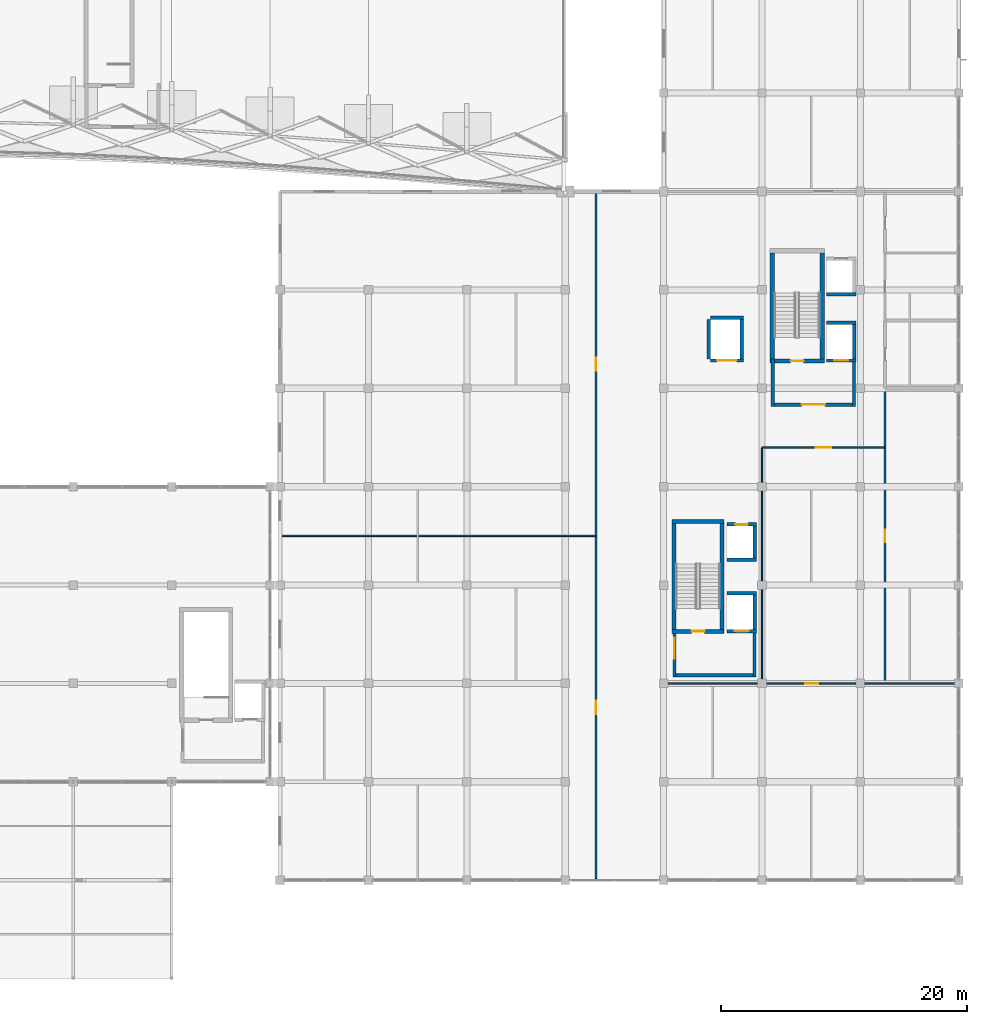
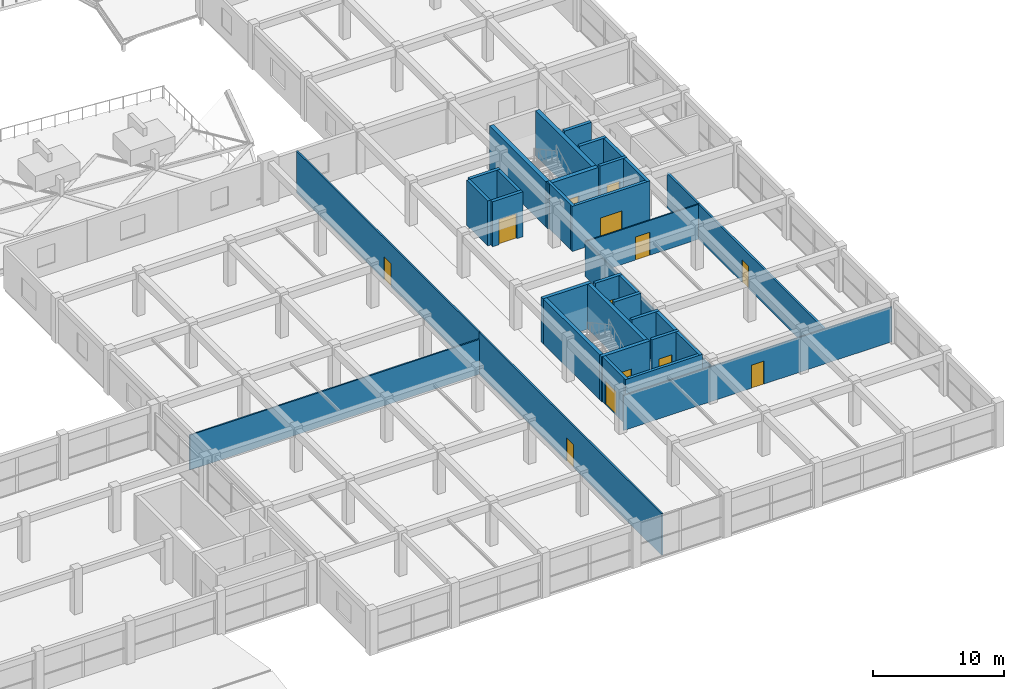
# One storey, part 47 of 67: 34 walls, 13 doors, 13 openings.
"""IFC4 building model written with IfcOpenShell, lengths in metres."""

from ifc_helpers import new_model, si_unit, direction, frame, frame_2d, origin, place, context, subcontext, project, spatial, rectangle, extrude, material, layer, layer_set, type_object, element, fill, save


model = new_model("IFC4")

# Units and contexts
model_context = context("Model", 3, precision=1e-05, world=origin(), true_north=direction((0.0, 1.0)))
body_context = subcontext(model_context, "Body", "Model", "MODEL_VIEW")
ifc_project = project(units=[si_unit("LENGTHUNIT", "METRE"), si_unit("AREAUNIT", "SQUARE_METRE"), si_unit("VOLUMEUNIT", "CUBIC_METRE"), si_unit("PLANEANGLEUNIT", "RADIAN"), si_unit("MASSUNIT", "GRAM", prefix="KILO")], contexts=[model_context])

# Site, building, storey
site_placement = place(None, origin())
site = spatial("IfcSite", under=ifc_project, at=site_placement, CompositionType="ELEMENT")
building_placement = place(site_placement, origin())
building = spatial("IfcBuilding", under=site, at=building_placement, Name="Kenh Van Central Station", CompositionType="ELEMENT")
storey_placement = place(building_placement, frame((0.0, 0.0, 10.800048828125)))
storey = spatial("IfcBuildingStorey", under=building, at=storey_placement, Name="L02", CompositionType="ELEMENT", Elevation=10.800048828125)

# Wall, opening, door
ifc_material_1 = material(Name="Concrete C40/50", Category="concrete")
ifc_layer_1 = layer(ifc_material_1, 0.280029296875, Name="Concrete C40/50")
ifc_layer_set_1 = layer_set([ifc_layer_1], Name="Concrete C40/50")
wall_type_1 = type_object("IfcWallType", Name="WL-CORE-280", PredefinedType="SHEAR", material=ifc_layer_set_1)
wall_1_placement = place(storey_placement, frame((157.14990234375, 28.260009765625, 0.0), z_axis=(0.0, 0.0, 1.0), x_axis=(1.0, 0.0, 0.0)))
wall_1 = element("IfcWall", 1, at=wall_1_placement, inside=storey, type_object=wall_type_1, Name="L02 LIFT-FF1 shaft wall S", PredefinedType="SHEAR", context=body_context, shape_type="SweptSolid", body=[
    extrude(rectangle(XDim=2.380126953125, YDim=0.280029296875, at=frame_2d((1.18994140625, 0.0))), origin(), (0.0, 0.0, 1.0), 4.199951171875),
])
opening_1_placement = place(wall_1_placement, frame((0.614990234375, 0.0, 0.0)))
opening_1 = element("IfcOpeningElement", 2, at=opening_1_placement, cuts=wall_1, Name="Opening LD-FF1", PredefinedType="OPENING", context=body_context, shape_type="SweptSolid", body=[
    extrude(rectangle(XDim=1.14990234375, YDim=2.199951171875, at=frame_2d((0.574951171875, 1.10009765625))), frame((0.0, 0.14990234375, 0.0), z_axis=(0.0, -1.0, 0.0), x_axis=(1.0, 0.0, 0.0)), (0.0, 0.0, 1.0), 0.300048828125),
])
ifc_material_2 = material(Name="Champagne anodised aluminium", Category="aluminium")
door_type_1 = type_object("IfcDoorType", Name="DR-LIFT-1150x2200", OperationType="SLIDING_TO_LEFT", PredefinedType="DOOR", material=ifc_material_2)
door_1_placement = place(opening_1_placement, origin())
door_1 = element("IfcDoor", 3, at=door_1_placement, inside=storey, type_object=door_type_1, Name="L02 LIFT-FF1 sliding landing door", OperationType="SLIDING_TO_LEFT", OverallHeight=2.199951171875, OverallWidth=1.14990234375, PredefinedType="DOOR", context=body_context, shape_type="SweptSolid", body=[
    extrude(rectangle(XDim=1.14990234375, YDim=2.199951171875, at=frame_2d((0.574951171875, 1.10009765625))), frame((0.0, 0.02490234375, 0.0), z_axis=(0.0, -1.0, 0.0), x_axis=(1.0, 0.0, 0.0)), (0.0, 0.0, 1.0), 0.050048828125),
])
fill(opening_1, door_1)

# Walls
wall_2_placement = place(storey_placement, frame((157.14990234375, 31.340087890625, 0.0), z_axis=(0.0, 0.0, 1.0), x_axis=(1.0, 0.0, 0.0)))
element("IfcWall", 4, at=wall_2_placement, inside=storey, type_object=wall_type_1, Name="L02 LIFT-FF1 shaft wall N", PredefinedType="SHEAR", context=body_context, shape_type="SweptSolid", body=[
    extrude(rectangle(XDim=2.380126953125, YDim=0.280029296875, at=frame_2d((1.18994140625, 0.0))), origin(), (0.0, 0.0, 1.0), 4.199951171875),
])
wall_3_placement = place(storey_placement, frame((159.389892578125, 28.39990234375, 0.0), z_axis=(0.0, 0.0, 1.0), x_axis=(0.0, 1.0, 0.0)))
element("IfcWall", 5, at=wall_3_placement, inside=storey, type_object=wall_type_1, Name="L02 LIFT-FF1 shaft wall E", PredefinedType="SHEAR", context=body_context, shape_type="SweptSolid", body=[
    extrude(rectangle(XDim=2.800048828125, YDim=0.280029296875, at=frame_2d((1.39990234375, 0.0))), origin(), (0.0, 0.0, 1.0), 4.199951171875),
])
wall_4_placement = place(storey_placement, frame((157.14990234375, 34.06005859375, 0.0), z_axis=(0.0, 0.0, 1.0), x_axis=(1.0, 0.0, 0.0)))
element("IfcWall", 6, at=wall_4_placement, inside=storey, type_object=wall_type_1, Name="L02 LIFT-OP1 shaft wall S", PredefinedType="SHEAR", context=body_context, shape_type="SweptSolid", body=[
    extrude(rectangle(XDim=2.380126953125, YDim=0.280029296875, at=frame_2d((1.18994140625, 0.0))), origin(), (0.0, 0.0, 1.0), 4.199951171875),
])

# Wall, opening, door
wall_5_placement = place(storey_placement, frame((157.14990234375, 36.93994140625, 0.0), z_axis=(0.0, 0.0, 1.0), x_axis=(1.0, 0.0, 0.0)))
wall_5 = element("IfcWall", 7, at=wall_5_placement, inside=storey, type_object=wall_type_1, Name="L02 LIFT-OP1 shaft wall N", PredefinedType="SHEAR", context=body_context, shape_type="SweptSolid", body=[
    extrude(rectangle(XDim=2.380126953125, YDim=0.280029296875, at=frame_2d((1.18994140625, 0.0))), origin(), (0.0, 0.0, 1.0), 4.199951171875),
])
opening_2_placement = place(wall_5_placement, frame((0.68994140625, 0.0, 0.0)))
opening_2 = element("IfcOpeningElement", 8, at=opening_2_placement, cuts=wall_5, Name="Opening LD-OP1", PredefinedType="OPENING", context=body_context, shape_type="SweptSolid", body=[
    extrude(rectangle(XDim=1.0, YDim=2.14990234375, at=frame_2d((0.5, 1.074951171875))), frame((0.0, 0.14990234375, 0.0), z_axis=(0.0, -1.0, 0.0), x_axis=(1.0, 0.0, 0.0)), (0.0, 0.0, 1.0), 0.300048828125),
])
door_type_2 = type_object("IfcDoorType", Name="DR-LIFT-1000x2150", OperationType="SLIDING_TO_LEFT", PredefinedType="DOOR", material=ifc_material_2)
door_2_placement = place(opening_2_placement, origin())
door_2 = element("IfcDoor", 9, at=door_2_placement, inside=storey, type_object=door_type_2, Name="L02 LIFT-OP1 sliding landing door", OperationType="SLIDING_TO_LEFT", OverallHeight=2.14990234375, OverallWidth=1.0, PredefinedType="DOOR", context=body_context, shape_type="SweptSolid", body=[
    extrude(rectangle(XDim=1.0, YDim=2.14990234375, at=frame_2d((0.5, 1.074951171875))), frame((0.0, 0.02490234375, 0.0), z_axis=(0.0, -1.0, 0.0), x_axis=(1.0, 0.0, 0.0)), (0.0, 0.0, 1.0), 0.050048828125),
])
fill(opening_2, door_2)

# Wall
wall_6_placement = place(storey_placement, frame((159.389892578125, 34.199951171875, 0.0), z_axis=(0.0, 0.0, 1.0), x_axis=(0.0, 1.0, 0.0)))
element("IfcWall", 10, at=wall_6_placement, inside=storey, type_object=wall_type_1, Name="L02 LIFT-OP1 shaft wall E", PredefinedType="SHEAR", context=body_context, shape_type="SweptSolid", body=[
    extrude(rectangle(XDim=2.60009765625, YDim=0.280029296875, at=frame_2d((1.300048828125, 0.0))), origin(), (0.0, 0.0, 1.0), 4.199951171875),
])

# Wall, opening, door
wall_7_placement = place(storey_placement, frame((165.25, 50.260009765625, 0.0), z_axis=(0.0, 0.0, 1.0), x_axis=(1.0, 0.0, 0.0)))
wall_7 = element("IfcWall", 11, at=wall_7_placement, inside=storey, type_object=wall_type_1, Name="L02 LIFT-FF2 shaft wall S", PredefinedType="SHEAR", context=body_context, shape_type="SweptSolid", body=[
    extrude(rectangle(XDim=2.3798828125, YDim=0.280029296875, at=frame_2d((1.18994140625, 0.0))), origin(), (0.0, 0.0, 1.0), 4.199951171875),
])
opening_3_placement = place(wall_7_placement, frame((0.614990234375, 0.0, 0.0)))
opening_3 = element("IfcOpeningElement", 12, at=opening_3_placement, cuts=wall_7, Name="Opening LD-FF1", PredefinedType="OPENING", context=body_context, shape_type="SweptSolid", body=[
    extrude(rectangle(XDim=1.14990234375, YDim=2.199951171875, at=frame_2d((0.574951171875, 1.10009765625))), frame((0.0, 0.14990234375, 0.0), z_axis=(0.0, -1.0, 0.0), x_axis=(1.0, 0.0, 0.0)), (0.0, 0.0, 1.0), 0.300048828125),
])
door_3_placement = place(opening_3_placement, origin())
door_3 = element("IfcDoor", 13, at=door_3_placement, inside=storey, type_object=door_type_1, Name="L02 LIFT-FF2 sliding landing door", OperationType="SLIDING_TO_LEFT", OverallHeight=2.199951171875, OverallWidth=1.14990234375, PredefinedType="DOOR", context=body_context, shape_type="SweptSolid", body=[
    extrude(rectangle(XDim=1.14990234375, YDim=2.199951171875, at=frame_2d((0.574951171875, 1.10009765625))), frame((0.0, 0.02490234375, 0.0), z_axis=(0.0, -1.0, 0.0), x_axis=(1.0, 0.0, 0.0)), (0.0, 0.0, 1.0), 0.050048828125),
])
fill(opening_3, door_3)

# Walls
wall_8_placement = place(storey_placement, frame((165.25, 53.340087890625, 0.0), z_axis=(0.0, 0.0, 1.0), x_axis=(1.0, 0.0, 0.0)))
element("IfcWall", 14, at=wall_8_placement, inside=storey, type_object=wall_type_1, Name="L02 LIFT-FF2 shaft wall N", PredefinedType="SHEAR", context=body_context, shape_type="SweptSolid", body=[
    extrude(rectangle(XDim=2.3798828125, YDim=0.280029296875, at=frame_2d((1.18994140625, 0.0))), origin(), (0.0, 0.0, 1.0), 4.199951171875),
])
wall_9_placement = place(storey_placement, frame((167.489990234375, 50.39990234375, 0.0), z_axis=(0.0, 0.0, 1.0), x_axis=(0.0, 1.0, 0.0)))
element("IfcWall", 15, at=wall_9_placement, inside=storey, type_object=wall_type_1, Name="L02 LIFT-FF2 shaft wall E", PredefinedType="SHEAR", context=body_context, shape_type="SweptSolid", body=[
    extrude(rectangle(XDim=2.800048828125, YDim=0.280029296875, at=frame_2d((1.39990234375, 0.0))), origin(), (0.0, 0.0, 1.0), 4.199951171875),
])
wall_10_placement = place(storey_placement, frame((165.25, 55.659912109375, 0.0), z_axis=(0.0, 0.0, 1.0), x_axis=(1.0, 0.0, 0.0)))
element("IfcWall", 16, at=wall_10_placement, inside=storey, type_object=wall_type_1, Name="L02 LIFT-OP2 shaft wall S", PredefinedType="SHEAR", context=body_context, shape_type="SweptSolid", body=[
    extrude(rectangle(XDim=2.3798828125, YDim=0.280029296875, at=frame_2d((1.18994140625, 0.0))), origin(), (0.0, 0.0, 1.0), 4.199951171875),
])

# Wall, opening, door
wall_11_placement = place(storey_placement, frame((155.800048828125, 50.260009765625, 0.0), z_axis=(0.0, 0.0, 1.0), x_axis=(1.0, 0.0, 0.0)))
wall_11 = element("IfcWall", 17, at=wall_11_placement, inside=storey, type_object=wall_type_1, Name="L02 LIFT-GD1 shaft wall S", PredefinedType="SHEAR", context=body_context, shape_type="SweptSolid", body=[
    extrude(rectangle(XDim=2.679931640625, YDim=0.280029296875, at=frame_2d((1.33984375, 0.0))), origin(), (0.0, 0.0, 1.0), 4.199951171875),
])
opening_4_placement = place(wall_11_placement, frame((0.5400390625, 0.0, 0.0)))
opening_4 = element("IfcOpeningElement", 18, at=opening_4_placement, cuts=wall_11, Name="Opening LD-GD1", PredefinedType="OPENING", context=body_context, shape_type="SweptSolid", body=[
    extrude(rectangle(XDim=1.60009765625, YDim=2.35009765625, at=frame_2d((0.800048828125, 1.175048828125))), frame((0.0, 0.14990234375, 0.0), z_axis=(0.0, -1.0, 0.0), x_axis=(1.0, 0.0, 0.0)), (0.0, 0.0, 1.0), 0.300048828125),
])
door_type_3 = type_object("IfcDoorType", Name="DR-LIFT-1600x2350", OperationType="SLIDING_TO_LEFT", PredefinedType="DOOR", material=ifc_material_2)
door_4_placement = place(opening_4_placement, origin())
door_4 = element("IfcDoor", 19, at=door_4_placement, inside=storey, type_object=door_type_3, Name="L02 LIFT-GD1 sliding landing door", OperationType="SLIDING_TO_LEFT", OverallHeight=2.35009765625, OverallWidth=1.60009765625, PredefinedType="DOOR", context=body_context, shape_type="SweptSolid", body=[
    extrude(rectangle(XDim=1.60009765625, YDim=2.35009765625, at=frame_2d((0.800048828125, 1.175048828125))), frame((0.0, 0.02490234375, 0.0), z_axis=(0.0, -1.0, 0.0), x_axis=(1.0, 0.0, 0.0)), (0.0, 0.0, 1.0), 0.050048828125),
])
fill(opening_4, door_4)

# Walls
wall_12_placement = place(storey_placement, frame((155.800048828125, 53.739990234375, 0.0), z_axis=(0.0, 0.0, 1.0), x_axis=(1.0, 0.0, 0.0)))
element("IfcWall", 20, at=wall_12_placement, inside=storey, type_object=wall_type_1, Name="L02 LIFT-GD1 shaft wall N", PredefinedType="SHEAR", context=body_context, shape_type="SweptSolid", body=[
    extrude(rectangle(XDim=2.679931640625, YDim=0.280029296875, at=frame_2d((1.33984375, 0.0))), origin(), (0.0, 0.0, 1.0), 4.199951171875),
])
for number, where, z_axis, x_axis, name in (
    (21, (158.340087890625, 50.39990234375, 0.0), (0.0, 0.0, 1.0), (0.0, 1.0, 0.0), "L02 LIFT-GD1 shaft wall E"),
    (22, (155.659912109375, 50.39990234375, 0.0), (0.0, 0.0, 1.0), (0.0, 1.0, 0.0), "L02 LIFT-GD1 shaft wall W"),
):
    element("IfcWall", number, at=place(storey_placement, frame(where, z_axis=z_axis, x_axis=x_axis)), inside=storey, type_object=wall_type_1, Name=name, PredefinedType="SHEAR", context=body_context, shape_type="SweptSolid", body=[
        extrude(rectangle(XDim=3.2001953125, YDim=0.280029296875, at=frame_2d((1.60009765625, 0.0))), origin(), (0.0, 0.0, 1.0), 4.199951171875),
    ])

# Wall, opening, door
ifc_layer_2 = layer(ifc_material_1, 0.320068359375, Name="Concrete C40/50")
ifc_layer_set_2 = layer_set([ifc_layer_2], Name="Concrete C40/50")
wall_type_2 = type_object("IfcWallType", Name="WL-CORE-320", PredefinedType="SHEAR", material=ifc_layer_set_2)
wall_13_placement = place(storey_placement, frame((152.679931640625, 28.239990234375, 0.0), z_axis=(0.0, 0.0, 1.0), x_axis=(1.0, 0.0, 0.0)))
wall_13 = element("IfcWall", 23, at=wall_13_placement, inside=storey, type_object=wall_type_2, Name="L02 CORE-09 stair wall S", PredefinedType="SHEAR", context=body_context, shape_type="SweptSolid", body=[
    extrude(rectangle(XDim=4.239990234375, YDim=0.320068359375, at=frame_2d((2.1201171875, 0.0))), origin(), (0.0, 0.0, 1.0), 4.199951171875),
])
opening_5_placement = place(wall_13_placement, frame((1.594970703125, 0.0, 0.0)))
opening_5 = element("IfcOpeningElement", 24, at=opening_5_placement, cuts=wall_13, Name="Opening D-FD60", PredefinedType="OPENING", context=body_context, shape_type="SweptSolid", body=[
    extrude(rectangle(XDim=1.050048828125, YDim=2.14990234375, at=frame_2d((0.52490234375, 1.074951171875))), frame((0.0, 0.169921875, 0.0), z_axis=(0.0, -1.0, 0.0), x_axis=(1.0, 0.0, 0.0)), (0.0, 0.0, 1.0), 0.340087890625),
])
door_type_4 = type_object("IfcDoorType", Name="DR-FIRE-1050x2150", OperationType="NOTDEFINED", PredefinedType="DOOR", material=ifc_material_2)
door_5_placement = place(opening_5_placement, origin())
door_5 = element("IfcDoor", 25, at=door_5_placement, inside=storey, type_object=door_type_4, Name="L02 ST-09 stair door", OperationType="SINGLE_SWING_RIGHT", OverallHeight=2.14990234375, OverallWidth=1.050048828125, PredefinedType="DOOR", context=body_context, shape_type="SweptSolid", body=[
    extrude(rectangle(XDim=1.050048828125, YDim=2.14990234375, at=frame_2d((0.52490234375, 1.074951171875))), frame((0.0, 0.02490234375, 0.0), z_axis=(0.0, -1.0, 0.0), x_axis=(1.0, 0.0, 0.0)), (0.0, 0.0, 1.0), 0.050048828125),
])
fill(opening_5, door_5)

# Walls
wall_14_placement = place(storey_placement, frame((152.679931640625, 37.159912109375, 0.0), z_axis=(0.0, 0.0, 1.0), x_axis=(1.0, 0.0, 0.0)))
element("IfcWall", 26, at=wall_14_placement, inside=storey, type_object=wall_type_2, Name="L02 CORE-09 stair wall N", PredefinedType="SHEAR", context=body_context, shape_type="SweptSolid", body=[
    extrude(rectangle(XDim=4.239990234375, YDim=0.320068359375, at=frame_2d((2.1201171875, 0.0))), origin(), (0.0, 0.0, 1.0), 4.199951171875),
])
for number, where, z_axis, x_axis, name in (
    (27, (152.840087890625, 28.39990234375, 0.0), (0.0, 0.0, 1.0), (0.0, 1.0, 0.0), "L02 CORE-09 stair wall W"),
    (28, (156.760009765625, 28.39990234375, 0.0), (0.0, 0.0, 1.0), (0.0, 1.0, 0.0), "L02 CORE-09 stair wall E"),
):
    element("IfcWall", number, at=place(storey_placement, frame(where, z_axis=z_axis, x_axis=x_axis)), inside=storey, type_object=wall_type_2, Name=name, PredefinedType="SHEAR", context=body_context, shape_type="SweptSolid", body=[
        extrude(rectangle(XDim=8.60009765625, YDim=0.320068359375, at=frame_2d((4.300048828125, 0.0))), origin(), (0.0, 0.0, 1.0), 4.199951171875),
    ])

# Wall, opening, door
ifc_layer_3 = layer(ifc_material_1, 0.360107421875, Name="Concrete C40/50")
ifc_layer_set_3 = layer_set([ifc_layer_3], Name="Concrete C40/50")
wall_type_3 = type_object("IfcWallType", Name="WL-CORE-360", PredefinedType="SHEAR", material=ifc_layer_set_3)
wall_15_placement = place(storey_placement, frame((160.639892578125, 50.219970703125, 0.0), z_axis=(0.0, 0.0, 1.0), x_axis=(1.0, 0.0, 0.0)))
wall_15 = element("IfcWall", 29, at=wall_15_placement, inside=storey, type_object=wall_type_3, Name="L02 CORE-10 stair wall S", PredefinedType="SHEAR", context=body_context, shape_type="SweptSolid", body=[
    extrude(rectangle(XDim=4.420166015625, YDim=0.360107421875, at=frame_2d((2.2099609375, 0.0))), origin(), (0.0, 0.0, 1.0), 4.199951171875),
])
opening_6_placement = place(wall_15_placement, frame((1.68505859375, 0.0, 0.0)))
opening_6 = element("IfcOpeningElement", 30, at=opening_6_placement, cuts=wall_15, Name="Opening D-FD60", PredefinedType="OPENING", context=body_context, shape_type="SweptSolid", body=[
    extrude(rectangle(XDim=1.050048828125, YDim=2.14990234375, at=frame_2d((0.52490234375, 1.074951171875))), frame((0.0, 0.18994140625, 0.0), z_axis=(0.0, -1.0, 0.0), x_axis=(1.0, 0.0, 0.0)), (0.0, 0.0, 1.0), 0.380126953125),
])
door_6_placement = place(opening_6_placement, origin())
door_6 = element("IfcDoor", 31, at=door_6_placement, inside=storey, type_object=door_type_4, Name="L02 ST-10 stair door", OperationType="SINGLE_SWING_LEFT", OverallHeight=2.14990234375, OverallWidth=1.050048828125, PredefinedType="DOOR", context=body_context, shape_type="SweptSolid", body=[
    extrude(rectangle(XDim=1.050048828125, YDim=2.14990234375, at=frame_2d((0.52490234375, 1.074951171875))), frame((0.0, 0.02490234375, 0.0), z_axis=(0.0, -1.0, 0.0), x_axis=(1.0, 0.0, 0.0)), (0.0, 0.0, 1.0), 0.050048828125),
])
fill(opening_6, door_6)

# Walls
for number, where, z_axis, x_axis, name in (
    (32, (160.820068359375, 50.39990234375, 0.0), (0.0, 0.0, 1.0), (0.0, 1.0, 0.0), "L02 CORE-10 stair wall W"),
    (33, (164.8798828125, 50.39990234375, 0.0), (0.0, 0.0, 1.0), (0.0, 1.0, 0.0), "L02 CORE-10 stair wall E"),
):
    element("IfcWall", number, at=place(storey_placement, frame(where, z_axis=z_axis, x_axis=x_axis)), inside=storey, type_object=wall_type_3, Name=name, PredefinedType="SHEAR", context=body_context, shape_type="SweptSolid", body=[
        extrude(rectangle(XDim=8.60009765625, YDim=0.360107421875, at=frame_2d((4.300048828125, 0.0))), origin(), (0.0, 0.0, 1.0), 4.199951171875),
    ])
ifc_layer_4 = layer(ifc_material_1, 0.260009765625, Name="Concrete C40/50")
ifc_layer_set_4 = layer_set([ifc_layer_4], Name="Concrete C40/50")
wall_type_4 = type_object("IfcWallType", Name="WL-FIRE-260", PredefinedType="SHEAR", material=ifc_layer_set_4)
wall_16_placement = place(storey_placement, frame((159.510009765625, 24.669921875, 0.0), z_axis=(0.0, 0.0, 1.0), x_axis=(-1.0, 0.0, 0.0)))
element("IfcWall", 34, at=wall_16_placement, inside=storey, type_object=wall_type_4, Name="L02 CORE-09 lobby wall S", PredefinedType="SHEAR", context=body_context, shape_type="SweptSolid", body=[
    extrude(rectangle(XDim=6.77001953125, YDim=0.260009765625, at=frame_2d((3.385009765625, 0.0))), origin(), (0.0, 0.0, 1.0), 4.199951171875),
])

# Wall, opening, door
wall_17_placement = place(storey_placement, frame((152.8701171875, 24.5400390625, 0.0), z_axis=(0.0, 0.0, 1.0), x_axis=(0.0, 1.0, 0.0)))
wall_17 = element("IfcWall", 35, at=wall_17_placement, inside=storey, type_object=wall_type_4, Name="L02 CORE-09 lobby wall W", PredefinedType="SHEAR", context=body_context, shape_type="SweptSolid", body=[
    extrude(rectangle(XDim=3.85986328125, YDim=0.260009765625, at=frame_2d((1.929931640625, 0.0))), origin(), (0.0, 0.0, 1.0), 4.199951171875),
])
opening_7_placement = place(wall_17_placement, frame((1.4599609375, 0.0, 0.0)))
opening_7 = element("IfcOpeningElement", 36, at=opening_7_placement, cuts=wall_17, Name="Opening D-FD60D", PredefinedType="OPENING", context=body_context, shape_type="SweptSolid", body=[
    extrude(rectangle(XDim=1.699951171875, YDim=2.199951171875, at=frame_2d((0.85009765625, 1.10009765625))), frame((0.0, 0.139892578125, 0.0), z_axis=(0.0, -1.0, 0.0), x_axis=(1.0, 0.0, 0.0)), (0.0, 0.0, 1.0), 0.280029296875),
])
door_type_5 = type_object("IfcDoorType", Name="DR-FIRE-1700x2200", OperationType="DOUBLE_DOOR_SINGLE_SWING", PredefinedType="DOOR", material=ifc_material_2)
door_7_placement = place(opening_7_placement, origin())
door_7 = element("IfcDoor", 37, at=door_7_placement, inside=storey, type_object=door_type_5, Name="L02 CORE-09 smoke-stop lobby door", OperationType="DOUBLE_DOOR_SINGLE_SWING", OverallHeight=2.199951171875, OverallWidth=1.699951171875, PredefinedType="DOOR", context=body_context, shape_type="SweptSolid", body=[
    extrude(rectangle(XDim=1.699951171875, YDim=2.199951171875, at=frame_2d((0.85009765625, 1.10009765625))), frame((0.0, 0.02490234375, 0.0), z_axis=(0.0, -1.0, 0.0), x_axis=(1.0, 0.0, 0.0)), (0.0, 0.0, 1.0), 0.050048828125),
])
fill(opening_7, door_7)

# Wall
wall_18_placement = place(storey_placement, frame((159.3798828125, 24.5400390625, 0.0), z_axis=(0.0, 0.0, 1.0), x_axis=(0.0, 1.0, 0.0)))
element("IfcWall", 38, at=wall_18_placement, inside=storey, type_object=wall_type_4, Name="L02 CORE-09 lobby wall E", PredefinedType="SHEAR", context=body_context, shape_type="SweptSolid", body=[
    extrude(rectangle(XDim=3.85986328125, YDim=0.260009765625, at=frame_2d((1.929931640625, 0.0))), origin(), (0.0, 0.0, 1.0), 4.199951171875),
])

# Wall, opening, door
wall_19_placement = place(storey_placement, frame((167.610107421875, 46.669921875, 0.0), z_axis=(0.0, 0.0, 1.0), x_axis=(-1.0, 0.0, 0.0)))
wall_19 = element("IfcWall", 39, at=wall_19_placement, inside=storey, type_object=wall_type_4, Name="L02 CORE-10 lobby wall S", PredefinedType="SHEAR", context=body_context, shape_type="SweptSolid", body=[
    extrude(rectangle(XDim=6.8701171875, YDim=0.260009765625, at=frame_2d((3.43505859375, 0.0))), origin(), (0.0, 0.0, 1.0), 4.199951171875),
])
opening_8_placement = place(wall_19_placement, frame((2.485107421875, 0.0, 0.0)))
opening_8 = element("IfcOpeningElement", 40, at=opening_8_placement, cuts=wall_19, Name="Opening D-FD60W", PredefinedType="OPENING", context=body_context, shape_type="SweptSolid", body=[
    extrude(rectangle(XDim=1.89990234375, YDim=2.25, at=frame_2d((0.949951171875, 1.125))), frame((0.0, 0.139892578125, 0.0), z_axis=(0.0, -1.0, 0.0), x_axis=(1.0, 0.0, 0.0)), (0.0, 0.0, 1.0), 0.280029296875),
])
door_type_6 = type_object("IfcDoorType", Name="DR-FIRE-1900x2250", OperationType="DOUBLE_DOOR_SINGLE_SWING", PredefinedType="DOOR", material=ifc_material_2)
door_8_placement = place(opening_8_placement, origin())
door_8 = element("IfcDoor", 41, at=door_8_placement, inside=storey, type_object=door_type_6, Name="L02 CORE-10 smoke-stop lobby door", OperationType="DOUBLE_DOOR_SINGLE_SWING", OverallHeight=2.25, OverallWidth=1.89990234375, PredefinedType="DOOR", context=body_context, shape_type="SweptSolid", body=[
    extrude(rectangle(XDim=1.89990234375, YDim=2.25, at=frame_2d((0.949951171875, 1.125))), frame((0.0, 0.02490234375, 0.0), z_axis=(0.0, -1.0, 0.0), x_axis=(1.0, 0.0, 0.0)), (0.0, 0.0, 1.0), 0.050048828125),
])
fill(opening_8, door_8)

# Walls
for number, where, z_axis, x_axis, name in (
    (42, (160.8701171875, 46.5400390625, 0.0), (0.0, 0.0, 1.0), (0.0, 1.0, 0.0), "L02 CORE-10 lobby wall W"),
    (43, (167.47998046875, 46.5400390625, 0.0), (0.0, 0.0, 1.0), (0.0, 1.0, 0.0), "L02 CORE-10 lobby wall E"),
):
    element("IfcWall", number, at=place(storey_placement, frame(where, z_axis=z_axis, x_axis=x_axis)), inside=storey, type_object=wall_type_4, Name=name, PredefinedType="SHEAR", context=body_context, shape_type="SweptSolid", body=[
        extrude(rectangle(XDim=3.85986328125, YDim=0.260009765625, at=frame_2d((1.929931640625, 0.0))), origin(), (0.0, 0.0, 1.0), 4.199951171875),
    ])
ifc_material_3 = material(Name="Lightweight acoustic masonry blockwork", Category="masonry")
ifc_layer_5 = layer(ifc_material_3, 0.10009765625, Name="Lightweight acoustic masonry blockwork")
ifc_layer_set_5 = layer_set([ifc_layer_5], Name="Lightweight acoustic masonry blockwork")
wall_type_5 = type_object("IfcWallType", Name="WL-PART-100", PredefinedType="PARTITIONING", material=ifc_layer_set_5)
wall_20_placement = place(storey_placement, frame((160.0, 24.02001953125, 0.0), z_axis=(0.0, 0.0, 1.0), x_axis=(0.0, 1.0, 0.0)))
element("IfcWall", 44, at=wall_20_placement, inside=storey, type_object=wall_type_5, Name="L02 interior wall 0160", PredefinedType="PARTITIONING", context=body_context, shape_type="SweptSolid", body=[
    extrude(rectangle(XDim=19.159912109375, YDim=0.10009765625, at=frame_2d((9.580078125, 0.0))), origin(), (0.0, 0.0, 1.0), 3.25),
])

# Wall, opening, door
ifc_layer_6 = layer(ifc_material_3, 0.114990234375, Name="Lightweight acoustic masonry blockwork")
ifc_layer_set_6 = layer_set([ifc_layer_6], Name="Lightweight acoustic masonry blockwork")
wall_type_6 = type_object("IfcWallType", Name="WL-PART-115", PredefinedType="PARTITIONING", material=ifc_layer_set_6)
wall_21_placement = place(storey_placement, frame((152.219970703125, 24.0, 0.0), z_axis=(0.0, 0.0, 1.0), x_axis=(1.0, 0.0, 0.0)))
wall_21 = element("IfcWall", 45, at=wall_21_placement, inside=storey, type_object=wall_type_6, Name="L02 interior wall 0159", PredefinedType="PARTITIONING", context=body_context, shape_type="SweptSolid", body=[
    extrude(rectangle(XDim=23.659912109375, YDim=0.114990234375, at=frame_2d((11.830078125, 0.0))), origin(), (0.0, 0.0, 1.0), 3.25),
])
opening_9_placement = place(wall_21_placement, frame((11.2900390625, 0.0, 0.0)))
opening_9 = element("IfcOpeningElement", 46, at=opening_9_placement, cuts=wall_21, Name="Opening D-IN05", PredefinedType="OPENING", context=body_context, shape_type="SweptSolid", body=[
    extrude(rectangle(XDim=1.080078125, YDim=2.14990234375, at=frame_2d((0.5400390625, 1.074951171875))), frame((0.0, 0.0673828125, 0.0), z_axis=(0.0, -1.0, 0.0), x_axis=(1.0, 0.0, 0.0)), (0.0, 0.0, 1.0), 0.135009765625),
])
ifc_material_4 = material(Name="Architectural hardwood timber", Category="wood")
door_type_7 = type_object("IfcDoorType", Name="DR-INT-1080x2150", OperationType="NOTDEFINED", PredefinedType="DOOR", material=ifc_material_4)
door_9_placement = place(opening_9_placement, origin())
door_9 = element("IfcDoor", 47, at=door_9_placement, inside=storey, type_object=door_type_7, Name="L02 interior door 0088", OperationType="SINGLE_SWING_LEFT", OverallHeight=2.14990234375, OverallWidth=1.080078125, PredefinedType="DOOR", context=body_context, shape_type="SweptSolid", body=[
    extrude(rectangle(XDim=1.080078125, YDim=2.14990234375, at=frame_2d((0.5400390625, 1.074951171875))), frame((0.0, 0.02490234375, 0.0), z_axis=(0.0, -1.0, 0.0), x_axis=(1.0, 0.0, 0.0)), (0.0, 0.0, 1.0), 0.050048828125),
])
fill(opening_9, door_9)

wall_22_placement = place(storey_placement, frame((160.02001953125, 43.199951171875, 0.0), z_axis=(0.0, 0.0, 1.0), x_axis=(1.0, 0.0, 0.0)))
wall_22 = element("IfcWall", 48, at=wall_22_placement, inside=storey, type_object=wall_type_6, Name="L02 interior wall 0208", PredefinedType="PARTITIONING", context=body_context, shape_type="SweptSolid", body=[
    extrude(rectangle(XDim=9.9599609375, YDim=0.114990234375, at=frame_2d((4.97998046875, 0.0))), origin(), (0.0, 0.0, 1.0), 3.25),
])
opening_10_placement = place(wall_22_placement, frame((4.35498046875, 0.0, 0.0)))
opening_10 = element("IfcOpeningElement", 49, at=opening_10_placement, cuts=wall_22, Name="Opening D-IN04", PredefinedType="OPENING", context=body_context, shape_type="SweptSolid", body=[
    extrude(rectangle(XDim=1.25, YDim=2.14990234375, at=frame_2d((0.625, 1.074951171875))), frame((0.0, 0.0673828125, 0.0), z_axis=(0.0, -1.0, 0.0), x_axis=(1.0, 0.0, 0.0)), (0.0, 0.0, 1.0), 0.135009765625),
])
door_type_8 = type_object("IfcDoorType", Name="DR-INT-1250x2150", OperationType="NOTDEFINED", PredefinedType="DOOR", material=ifc_material_4)
door_10_placement = place(opening_10_placement, origin())
door_10 = element("IfcDoor", 50, at=door_10_placement, inside=storey, type_object=door_type_8, Name="L02 interior door 0115", OperationType="SINGLE_SWING_RIGHT", OverallHeight=2.14990234375, OverallWidth=1.25, PredefinedType="DOOR", context=body_context, shape_type="SweptSolid", body=[
    extrude(rectangle(XDim=1.25, YDim=2.14990234375, at=frame_2d((0.625, 1.074951171875))), frame((0.0, 0.02490234375, 0.0), z_axis=(0.0, -1.0, 0.0), x_axis=(1.0, 0.0, 0.0)), (0.0, 0.0, 1.0), 0.050048828125),
])
fill(opening_10, door_10)

# Wall
ifc_layer_7 = layer(ifc_material_3, 0.125, Name="Lightweight acoustic masonry blockwork")
ifc_layer_set_7 = layer_set([ifc_layer_7], Name="Lightweight acoustic masonry blockwork")
wall_type_7 = type_object("IfcWallType", Name="WL-PART-125", PredefinedType="PARTITIONING", material=ifc_layer_set_7)
wall_23_placement = place(storey_placement, frame((120.919921875, 36.0, 0.0), z_axis=(0.0, 0.0, 1.0), x_axis=(1.0, 0.0, 0.0)))
element("IfcWall", 51, at=wall_23_placement, inside=storey, type_object=wall_type_7, Name="L02 interior wall 0158", PredefinedType="PARTITIONING", context=body_context, shape_type="SweptSolid", body=[
    extrude(rectangle(XDim=25.56005859375, YDim=0.125, at=frame_2d((12.780029296875, 0.0))), origin(), (0.0, 0.0, 1.0), 3.25),
])

# Wall, opening, door
ifc_layer_8 = layer(ifc_material_3, 0.135009765625, Name="Lightweight acoustic masonry blockwork")
ifc_layer_set_8 = layer_set([ifc_layer_8], Name="Lightweight acoustic masonry blockwork")
wall_type_8 = type_object("IfcWallType", Name="WL-PART-135", PredefinedType="PARTITIONING", material=ifc_layer_set_8)
wall_24_placement = place(storey_placement, frame((146.5, 36.02001953125, 0.0), z_axis=(0.0, 0.0, 1.0), x_axis=(0.0, 1.0, 0.0)))
wall_24 = element("IfcWall", 52, at=wall_24_placement, inside=storey, type_object=wall_type_8, Name="L02 interior wall 0157", PredefinedType="PARTITIONING", context=body_context, shape_type="SweptSolid", body=[
    extrude(rectangle(XDim=27.85986328125, YDim=0.135009765625, at=frame_2d((13.929931640625, 0.0))), origin(), (0.0, 0.0, 1.0), 3.8798828125),
])
opening_11_placement = place(wall_24_placement, frame((13.389892578125, 0.0, 0.0)))
opening_11 = element("IfcOpeningElement", 53, at=opening_11_placement, cuts=wall_24, Name="Opening D-IN05", PredefinedType="OPENING", context=body_context, shape_type="SweptSolid", body=[
    extrude(rectangle(XDim=1.080078125, YDim=2.14990234375, at=frame_2d((0.5400390625, 1.074951171875))), frame((0.0, 0.077392578125, 0.0), z_axis=(0.0, -1.0, 0.0), x_axis=(1.0, 0.0, 0.0)), (0.0, 0.0, 1.0), 0.155029296875),
])
door_11_placement = place(opening_11_placement, origin())
door_11 = element("IfcDoor", 54, at=door_11_placement, inside=storey, type_object=door_type_7, Name="L02 interior door 0087", OperationType="SINGLE_SWING_RIGHT", OverallHeight=2.14990234375, OverallWidth=1.080078125, PredefinedType="DOOR", context=body_context, shape_type="SweptSolid", body=[
    extrude(rectangle(XDim=1.080078125, YDim=2.14990234375, at=frame_2d((0.5400390625, 1.074951171875))), frame((0.0, 0.02490234375, 0.0), z_axis=(0.0, -1.0, 0.0), x_axis=(1.0, 0.0, 0.0)), (0.0, 0.0, 1.0), 0.050048828125),
])
fill(opening_11, door_11)

ifc_layer_9 = layer(ifc_material_3, 0.14990234375, Name="Lightweight acoustic masonry blockwork")
ifc_layer_set_9 = layer_set([ifc_layer_9], Name="Lightweight acoustic masonry blockwork")
wall_type_9 = type_object("IfcWallType", Name="WL-PART-150", PredefinedType="PARTITIONING", material=ifc_layer_set_9)
wall_25_placement = place(storey_placement, frame((146.5, 8.1201171875, 0.0), z_axis=(0.0, 0.0, 1.0), x_axis=(0.0, 1.0, 0.0)))
wall_25 = element("IfcWall", 55, at=wall_25_placement, inside=storey, type_object=wall_type_9, Name="L02 interior wall 0156", PredefinedType="PARTITIONING", context=body_context, shape_type="SweptSolid", body=[
    extrude(rectangle(XDim=27.85986328125, YDim=0.14990234375, at=frame_2d((13.929931640625, 0.0))), origin(), (0.0, 0.0, 1.0), 3.8798828125),
])
opening_12_placement = place(wall_25_placement, frame((13.389892578125, 0.0, 0.0)))
opening_12 = element("IfcOpeningElement", 56, at=opening_12_placement, cuts=wall_25, Name="Opening D-IN05", PredefinedType="OPENING", context=body_context, shape_type="SweptSolid", body=[
    extrude(rectangle(XDim=1.080078125, YDim=2.14990234375, at=frame_2d((0.5400390625, 1.074951171875))), frame((0.0, 0.0849609375, 0.0), z_axis=(0.0, -1.0, 0.0), x_axis=(1.0, 0.0, 0.0)), (0.0, 0.0, 1.0), 0.169921875),
])
door_12_placement = place(opening_12_placement, origin())
door_12 = element("IfcDoor", 57, at=door_12_placement, inside=storey, type_object=door_type_7, Name="L02 interior door 0086", OperationType="SINGLE_SWING_LEFT", OverallHeight=2.14990234375, OverallWidth=1.080078125, PredefinedType="DOOR", context=body_context, shape_type="SweptSolid", body=[
    extrude(rectangle(XDim=1.080078125, YDim=2.14990234375, at=frame_2d((0.5400390625, 1.074951171875))), frame((0.0, 0.02490234375, 0.0), z_axis=(0.0, -1.0, 0.0), x_axis=(1.0, 0.0, 0.0)), (0.0, 0.0, 1.0), 0.050048828125),
])
fill(opening_12, door_12)

ifc_layer_10 = layer(ifc_material_3, 0.175048828125, Name="Lightweight acoustic masonry blockwork")
ifc_layer_set_10 = layer_set([ifc_layer_10], Name="Lightweight acoustic masonry blockwork")
wall_type_10 = type_object("IfcWallType", Name="WL-PART-175", PredefinedType="PARTITIONING", material=ifc_layer_set_10)
wall_26_placement = place(storey_placement, frame((170.0, 24.02001953125, 0.0), z_axis=(0.0, 0.0, 1.0), x_axis=(0.0, 1.0, 0.0)))
wall_26 = element("IfcWall", 58, at=wall_26_placement, inside=storey, type_object=wall_type_10, Name="L02 interior wall 0161", PredefinedType="PARTITIONING", context=body_context, shape_type="SweptSolid", body=[
    extrude(rectangle(XDim=23.9599609375, YDim=0.175048828125, at=frame_2d((11.97998046875, 0.0))), origin(), (0.0, 0.0, 1.0), 3.25),
])
opening_13_placement = place(wall_26_placement, frame((11.469970703125, 0.0, 0.0)))
opening_13 = element("IfcOpeningElement", 59, at=opening_13_placement, cuts=wall_26, Name="Opening D-IN06", PredefinedType="OPENING", context=body_context, shape_type="SweptSolid", body=[
    extrude(rectangle(XDim=1.02001953125, YDim=2.1201171875, at=frame_2d((0.510009765625, 1.06005859375))), frame((0.0, 0.097412109375, 0.0), z_axis=(0.0, -1.0, 0.0), x_axis=(1.0, 0.0, 0.0)), (0.0, 0.0, 1.0), 0.195068359375),
])
door_type_9 = type_object("IfcDoorType", Name="DR-INT-1020x2120", OperationType="NOTDEFINED", PredefinedType="DOOR", material=ifc_material_4)
door_13_placement = place(opening_13_placement, origin())
door_13 = element("IfcDoor", 60, at=door_13_placement, inside=storey, type_object=door_type_9, Name="L02 interior door 0089", OperationType="SINGLE_SWING_RIGHT", OverallHeight=2.1201171875, OverallWidth=1.02001953125, PredefinedType="DOOR", context=body_context, shape_type="SweptSolid", body=[
    extrude(rectangle(XDim=1.02001953125, YDim=2.1201171875, at=frame_2d((0.510009765625, 1.06005859375))), frame((0.0, 0.02490234375, 0.0), z_axis=(0.0, -1.0, 0.0), x_axis=(1.0, 0.0, 0.0)), (0.0, 0.0, 1.0), 0.050048828125),
])
fill(opening_13, door_13)

save(model, "model.ifc")
